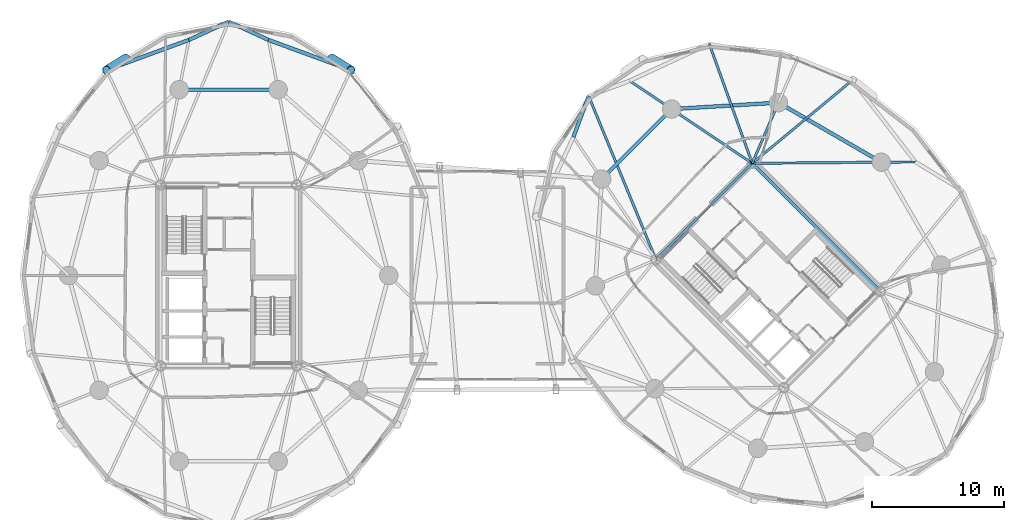
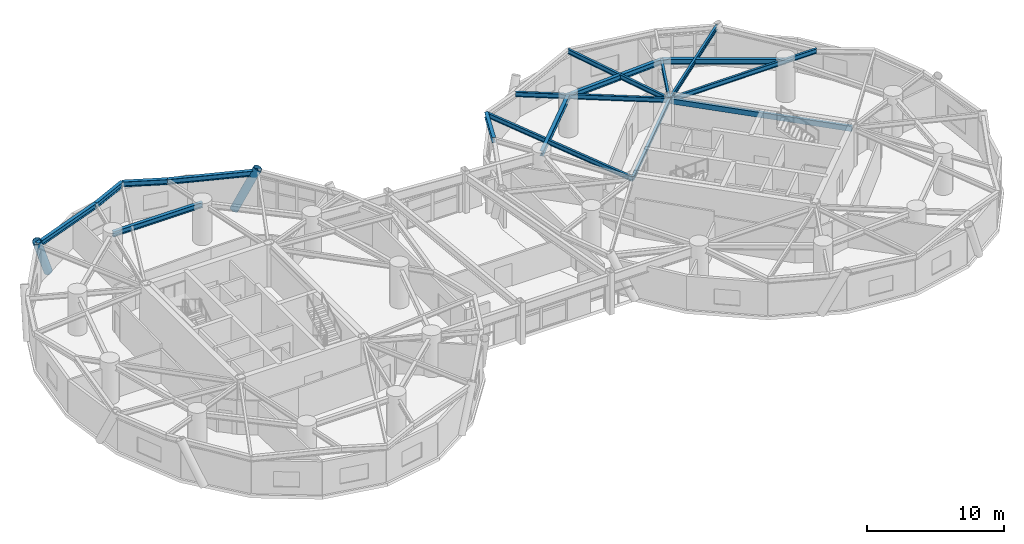
# One storey, part 7 of 19: 17 beams, 2 members.
"""IFC4 building model written with IfcOpenShell, lengths in metres."""

from ifc_helpers import new_model, si_unit, direction, frame, origin, origin_2d, place, context, subcontext, project, spatial, hollow_rectangle, hollow_circle, i_section, extrude, material, material_profile, profile_set, type_object, element, save


model = new_model("IFC4")

# Units and contexts
model_context = context("Model", 3, precision=1e-05, world=origin(), true_north=direction((0.0, 1.0)))
body_context = subcontext(model_context, "Body", "Model", "MODEL_VIEW")
ifc_project = project(units=[si_unit("LENGTHUNIT", "METRE"), si_unit("AREAUNIT", "SQUARE_METRE"), si_unit("VOLUMEUNIT", "CUBIC_METRE"), si_unit("PLANEANGLEUNIT", "RADIAN"), si_unit("MASSUNIT", "GRAM", prefix="KILO")], contexts=[model_context])

# Site, building, storey
site_placement = place(None, origin())
site = spatial("IfcSite", under=ifc_project, at=site_placement, CompositionType="ELEMENT")
building_placement = place(site_placement, origin())
building = spatial("IfcBuilding", under=site, at=building_placement, Name="Cununo Teusaquillo Station Towers", CompositionType="ELEMENT")
storey_placement = place(building_placement, frame((0.0, 0.0, 136.60009765625)))
storey = spatial("IfcBuildingStorey", under=building, at=storey_placement, Name="L43", CompositionType="ELEMENT", Elevation=136.60009765625)

# Beams
ifc_material_1 = material(Name="Steel EN 10025-2 S355J2", Category="steel")
ifc_material_profile_1 = material_profile(ifc_material_1, hollow_rectangle(XDim=0.25, YDim=0.449951171875, WallThickness=0.01611328125, at=origin_2d()), Name="RHS 450x250x16")
ifc_profile_set_1 = profile_set([ifc_material_profile_1], Name="Steel EN 10025-2 S355J2")
beam_type_1 = type_object("IfcBeamType", Name="BM-COUP-1", PredefinedType="USERDEFINED", material=ifc_profile_set_1)
beam_1_placement = place(storey_placement, frame((66.024169921875, 23.29443359375, 3.21484375), z_axis=(-0.707106781187, 0.707106781187, 0.0), x_axis=(-0.707106781187, -0.707106781187, 0.0)))
element("IfcBeam", 1, at=beam_1_placement, inside=storey, type_object=beam_type_1, Name="L43 Tower B Core Beam 2", ObjectType="COUPLING BEAM", PredefinedType="USERDEFINED", context=body_context, shape_type="SweptSolid", body=[
    extrude(hollow_rectangle(XDim=0.25, YDim=0.449951171875, WallThickness=0.01611328125, at=origin_2d()), origin(), (0.0, 0.0, 1.0), 13.760009765625),
])
ifc_material_2 = material(Name="Steel ASTM A572 Grade 50", Category="steel")
ifc_material_profile_2 = material_profile(ifc_material_2, i_section(OverallWidth=0.180908203125, OverallDepth=0.4169921875, WebThickness=0.010986328125, FlangeThickness=0.018310546875, FilletRadius=0.012939453125, at=origin_2d()), Name="W16X57")
ifc_profile_set_2 = profile_set([ifc_material_profile_2], Name="Steel ASTM A572 Grade 50")
beam_type_2 = type_object("IfcBeamType", Name="BM-JOIST-1", PredefinedType="JOIST", material=ifc_profile_set_2)
beam_2_placement = place(storey_placement, frame((56.29443359375, 33.024169921875, 3.2314453125), z_axis=(0.769727799615, 0.638372238196, 0.0), x_axis=(-0.638372238196, 0.769727799615, 0.0)))
element("IfcBeam", 2, at=beam_2_placement, inside=storey, type_object=beam_type_2, Name="L43 Tower B Radial Spandrel Joist V01", PredefinedType="JOIST", context=body_context, shape_type="SweptSolid", body=[
    extrude(i_section(OverallWidth=0.180908203125, OverallDepth=0.4169921875, WebThickness=0.010986328125, FlangeThickness=0.018310546875, FilletRadius=0.012939453125, at=origin_2d()), origin(), (0.0, 0.0, 1.0), 9.895263671875),
])
beam_3_placement = place(storey_placement, frame((56.29443359375, 33.024169921875, 3.2314453125), z_axis=(-0.338176312038, 0.941082771055, 0.0), x_axis=(-0.941082771055, -0.338176312038, 0.0)))
element("IfcBeam", 3, at=beam_3_placement, inside=storey, type_object=beam_type_2, Name="L43 Tower B Radial Spandrel Joist V03", PredefinedType="JOIST", context=body_context, shape_type="SweptSolid", body=[
    extrude(i_section(OverallWidth=0.180908203125, OverallDepth=0.4169921875, WebThickness=0.010986328125, FlangeThickness=0.018310546875, FilletRadius=0.012939453125, at=origin_2d()), origin(), (0.0, 0.0, 1.0), 9.646484375),
])
beam_4_placement = place(storey_placement, frame((48.975830078125, 25.70556640625, 3.2314453125), z_axis=(-0.380485864505, 0.924786735908, 0.0), x_axis=(-0.924786735908, -0.380485864505, 0.0)))
element("IfcBeam", 4, at=beam_4_placement, inside=storey, type_object=beam_type_2, Name="L43 Tower B Radial Spandrel Joist V05", PredefinedType="JOIST", context=body_context, shape_type="SweptSolid", body=[
    extrude(i_section(OverallWidth=0.180908203125, OverallDepth=0.4169921875, WebThickness=0.010986328125, FlangeThickness=0.018310546875, FilletRadius=0.012939453125, at=origin_2d()), origin(), (0.0, 0.0, 1.0), 13.44580078125),
])
ifc_material_3 = material(Name="Steel ASTM A572 Grade 50", Category="steel")
ifc_material_profile_3 = material_profile(ifc_material_3, i_section(OverallWidth=0.2041015625, OverallDepth=0.35009765625, WebThickness=0.008544921875, FlangeThickness=0.01513671875, FilletRadius=0.011962890625, at=origin_2d()), Name="W14X48")
ifc_profile_set_3 = profile_set([ifc_material_profile_3], Name="Steel ASTM A572 Grade 50")
beam_type_3 = type_object("IfcBeamType", Name="BM-LINTEL-1", PredefinedType="LINTEL", material=ifc_profile_set_3)
beam_5_placement = place(storey_placement, frame((48.975830078125, 25.70556640625, 3.264892578125), z_axis=(0.707106781187, 0.707106781187, 0.0), x_axis=(-0.707106781187, 0.707106781187, 0.0)))
element("IfcBeam", 5, at=beam_5_placement, inside=storey, type_object=beam_type_3, Name="L43 Tower B Core Beam 4", PredefinedType="LINTEL", context=body_context, shape_type="SweptSolid", body=[
    extrude(i_section(OverallWidth=0.2041015625, OverallDepth=0.35009765625, WebThickness=0.008544921875, FlangeThickness=0.01513671875, FilletRadius=0.011962890625, at=origin_2d()), origin(), (0.0, 0.0, 1.0), 10.35009765625),
])
ifc_material_4 = material(Name="Steel ASTM A572 Grade 50", Category="steel")
ifc_material_profile_4 = material_profile(ifc_material_4, i_section(OverallWidth=0.180908203125, OverallDepth=0.4169921875, WebThickness=0.010986328125, FlangeThickness=0.018310546875, FilletRadius=0.012939453125, at=origin_2d()), Name="W16X57")
ifc_profile_set_4 = profile_set([ifc_material_profile_4], Name="Steel ASTM A572 Grade 50")
beam_type_4 = type_object("IfcBeamType", Name="BM-RAD-G2", PredefinedType="BEAM", material=ifc_profile_set_4)
beam_6_placement = place(storey_placement, frame((56.29443359375, 33.024169921875, 3.2314453125), z_axis=(0.999964331255, 0.008446077024, 0.0), x_axis=(-0.008446077024, 0.999964331255, 0.0)))
element("IfcBeam", 6, at=beam_6_placement, inside=storey, type_object=beam_type_4, Name="L43 Tower B Continuous Overhanging Radial Girder 01", PredefinedType="BEAM", context=body_context, shape_type="SweptSolid", body=[
    extrude(i_section(OverallWidth=0.180908203125, OverallDepth=0.4169921875, WebThickness=0.010986328125, FlangeThickness=0.018310546875, FilletRadius=0.012939453125, at=origin_2d()), origin(), (0.0, 0.0, 1.0), 12.400634765625),
])
beam_7_placement = place(storey_placement, frame((56.29443359375, 33.024169921875, 3.2314453125), z_axis=(0.397346986387, 0.917668443616, 0.0), x_axis=(-0.917668443616, 0.397346986387, 0.0)))
element("IfcBeam", 7, at=beam_7_placement, inside=storey, type_object=beam_type_4, Name="L43 Tower B Radial Girder 02A", PredefinedType="BEAM", context=body_context, shape_type="SweptSolid", body=[
    extrude(i_section(OverallWidth=0.180908203125, OverallDepth=0.4169921875, WebThickness=0.010986328125, FlangeThickness=0.018310546875, FilletRadius=0.012939453125, at=origin_2d()), origin(), (0.0, 0.0, 1.0), 5.02490234375),
])
beam_8_placement = place(storey_placement, frame((56.29443359375, 33.024169921875, 3.2314453125), z_axis=(-0.82945583878, 0.558572297481, 0.0), x_axis=(-0.558572297481, -0.82945583878, 0.0)))
element("IfcBeam", 8, at=beam_8_placement, inside=storey, type_object=beam_type_4, Name="L43 Tower B Continuous Overhanging Radial Girder 03", PredefinedType="BEAM", context=body_context, shape_type="SweptSolid", body=[
    extrude(i_section(OverallWidth=0.180908203125, OverallDepth=0.4169921875, WebThickness=0.010986328125, FlangeThickness=0.018310546875, FilletRadius=0.012939453125, at=origin_2d()), origin(), (0.0, 0.0, 1.0), 11.22998046875),
])
ifc_material_5 = material(Name="Steel ASTM A572 Grade 50", Category="steel")
ifc_material_profile_5 = material_profile(ifc_material_5, i_section(OverallWidth=0.280029296875, OverallDepth=0.462890625, WebThickness=0.0107421875, FlangeThickness=0.017333984375, FilletRadius=0.013916015625, at=origin_2d()), Name="W18X76")
ifc_profile_set_5 = profile_set([ifc_material_profile_5], Name="Steel ASTM A572 Grade 50")
beam_type_5 = type_object("IfcBeamType", Name="BM-RING-Z2", PredefinedType="SPANDREL", material=ifc_profile_set_5)
beam_9_placement = place(storey_placement, frame((20.261474609375, 38.623291015625, 3.20849609375), z_axis=(-1.0, 0.0, 0.0), x_axis=(0.0, -1.0, 0.0)))
element("IfcBeam", 9, at=beam_9_placement, inside=storey, type_object=beam_type_5, Name="L43 Tower A Structural Column Ring Girder 03", PredefinedType="SPANDREL", context=body_context, shape_type="SweptSolid", body=[
    extrude(i_section(OverallWidth=0.280029296875, OverallDepth=0.462890625, WebThickness=0.0107421875, FlangeThickness=0.017333984375, FilletRadius=0.013916015625, at=origin_2d()), origin(), (0.0, 0.0, 1.0), 7.52294921875),
])
beam_10_placement = place(storey_placement, frame((25.78759765625, 40.10595703125, 3.20849609375), z_axis=(-0.938914161016, 0.34415141761, 0.0), x_axis=(-0.34415141761, -0.938914161016, 0.0)))
element("IfcBeam", 10, at=beam_10_placement, inside=storey, type_object=beam_type_5, Name="L43 Tower A Spandrel Ring Beam 04", PredefinedType="SPANDREL", context=body_context, shape_type="SweptSolid", body=[
    extrude(i_section(OverallWidth=0.280029296875, OverallDepth=0.462890625, WebThickness=0.0107421875, FlangeThickness=0.017333984375, FilletRadius=0.013916015625, at=origin_2d()), origin(), (0.0, 0.0, 1.0), 6.671142578125),
])
for number, where, z_axis, x_axis, name in (
    (11, (19.52392578125, 42.40185546875, 3.20849609375), (-0.908812215281, 0.417205413862, 0.0), (-0.417205413862, -0.908812215281, 0.0), "L43 Tower A Spandrel Ring Beam 05"),
    (12, (16.5, 43.7900390625, 3.20849609375), (-0.908812215281, -0.417205413862, 0.0), (0.417205413862, -0.908812215281, 0.0), "L43 Tower A Spandrel Ring Beam 06"),
):
    element("IfcBeam", number, at=place(storey_placement, frame(where, z_axis=z_axis, x_axis=x_axis)), inside=storey, type_object=beam_type_5, Name=name, PredefinedType="SPANDREL", context=body_context, shape_type="SweptSolid", body=[
        extrude(i_section(OverallWidth=0.280029296875, OverallDepth=0.462890625, WebThickness=0.0107421875, FlangeThickness=0.017333984375, FilletRadius=0.013916015625, at=origin_2d()), origin(), (0.0, 0.0, 1.0), 3.327392578125),
    ])
beam_11_placement = place(storey_placement, frame((13.47607421875, 42.40185546875, 3.20849609375), z_axis=(-0.938914161016, -0.34415141761, 0.0), x_axis=(0.34415141761, -0.938914161016, 0.0)))
element("IfcBeam", 13, at=beam_11_placement, inside=storey, type_object=beam_type_5, Name="L43 Tower A Spandrel Ring Beam 07", PredefinedType="SPANDREL", context=body_context, shape_type="SweptSolid", body=[
    extrude(i_section(OverallWidth=0.280029296875, OverallDepth=0.462890625, WebThickness=0.0107421875, FlangeThickness=0.017333984375, FilletRadius=0.013916015625, at=origin_2d()), origin(), (0.0, 0.0, 1.0), 6.671142578125),
])
beam_12_placement = place(storey_placement, frame((66.10693359375, 33.10693359375, 3.20849609375), z_axis=(-0.865267103202, 0.501311121078, 0.0), x_axis=(-0.501311121078, -0.865267103202, 0.0)))
element("IfcBeam", 14, at=beam_12_placement, inside=storey, type_object=beam_type_5, Name="L43 Tower B Structural Column Ring Girder 01", PredefinedType="SPANDREL", context=body_context, shape_type="SweptSolid", body=[
    extrude(i_section(OverallWidth=0.280029296875, OverallDepth=0.462890625, WebThickness=0.0107421875, FlangeThickness=0.017333984375, FilletRadius=0.013916015625, at=origin_2d()), origin(), (0.0, 0.0, 1.0), 9.032958984375),
])
beam_13_placement = place(storey_placement, frame((58.291015625, 37.63525390625, 3.20849609375), z_axis=(-0.998190567048, -0.06012979176, 0.0), x_axis=(0.06012979176, -0.998190567048, 0.0)))
element("IfcBeam", 15, at=beam_13_placement, inside=storey, type_object=beam_type_5, Name="L43 Tower B Structural Column Ring Girder 02", PredefinedType="SPANDREL", context=body_context, shape_type="SweptSolid", body=[
    extrude(i_section(OverallWidth=0.280029296875, OverallDepth=0.462890625, WebThickness=0.0107421875, FlangeThickness=0.017333984375, FilletRadius=0.013916015625, at=origin_2d()), origin(), (0.0, 0.0, 1.0), 8.132568359375),
])
beam_14_placement = place(storey_placement, frame((50.173095703125, 37.146240234375, 3.20849609375), z_axis=(-0.707106781187, -0.707106781187, 0.0), x_axis=(0.707106781187, -0.707106781187, 0.0)))
element("IfcBeam", 16, at=beam_14_placement, inside=storey, type_object=beam_type_5, Name="L43 Tower B Structural Column Ring Girder 03", PredefinedType="SPANDREL", context=body_context, shape_type="SweptSolid", body=[
    extrude(i_section(OverallWidth=0.280029296875, OverallDepth=0.462890625, WebThickness=0.0107421875, FlangeThickness=0.017333984375, FilletRadius=0.013916015625, at=origin_2d()), origin(), (0.0, 0.0, 1.0), 7.522705078125),
])
beam_15_placement = place(storey_placement, frame((43.85986328125, 38.14013671875, 3.20849609375), z_axis=(-0.347639333943, -0.937628334414, 0.0), x_axis=(0.937628334414, -0.347639333943, 0.0)))
element("IfcBeam", 17, at=beam_15_placement, inside=storey, type_object=beam_type_5, Name="L43 Tower B Spandrel Ring Beam 06", PredefinedType="SPANDREL", context=body_context, shape_type="SweptSolid", body=[
    extrude(i_section(OverallWidth=0.280029296875, OverallDepth=0.462890625, WebThickness=0.0107421875, FlangeThickness=0.017333984375, FilletRadius=0.013916015625, at=origin_2d()), origin(), (0.0, 0.0, 1.0), 3.327392578125),
])

# Members
ifc_material_6 = material(Name="Steel EN 10025-2 S355J2", Category="steel")
ifc_material_profile_6 = material_profile(ifc_material_6, hollow_circle(Radius=0.330078125, WallThickness=0.02490234375, at=origin_2d()), Name="CHS 660x25")
ifc_profile_set_6 = profile_set([ifc_material_profile_6], Name="Steel EN 10025-2 S355J2")
member_type = type_object("IfcMemberType", Name="MBR-DIAG-Z2", PredefinedType="BRACE", material=ifc_profile_set_6)
for number, where, z_axis, x_axis, name in (
    (18, (24.3193359375, 41.019287109375, -0.14013671875), (0.35791948, -0.222643294759, 0.906820604715), (0.528195574716, 0.849122744278, 0.0), "L43 Tower A Folded-Zigzag Diagrid Tube C03"),
    (19, (8.6806640625, 41.019287109375, -0.14013671875), (-0.35791948, -0.222643294759, 0.906820604715), (0.528195574716, -0.849122744278, 0.0), "L43 Tower A Folded-Zigzag Diagrid Tube C06"),
):
    element("IfcMember", number, at=place(storey_placement, frame(where, z_axis=z_axis, x_axis=x_axis)), inside=storey, type_object=member_type, Name=name, PredefinedType="BRACE", context=body_context, shape_type="SweptSolid", body=[
        extrude(hollow_circle(Radius=0.330078125, WallThickness=0.02490234375, at=origin_2d()), origin(), (0.0, 0.0, 1.0), 4.102294921875),
    ])

save(model, "model.ifc")
